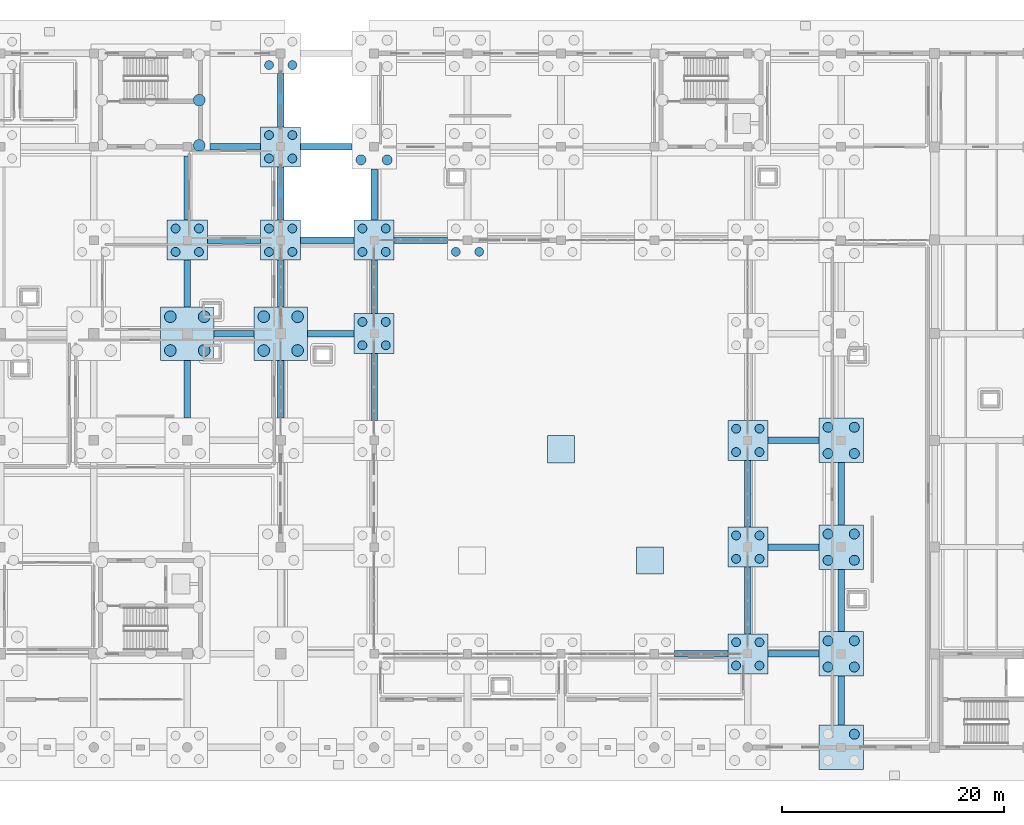
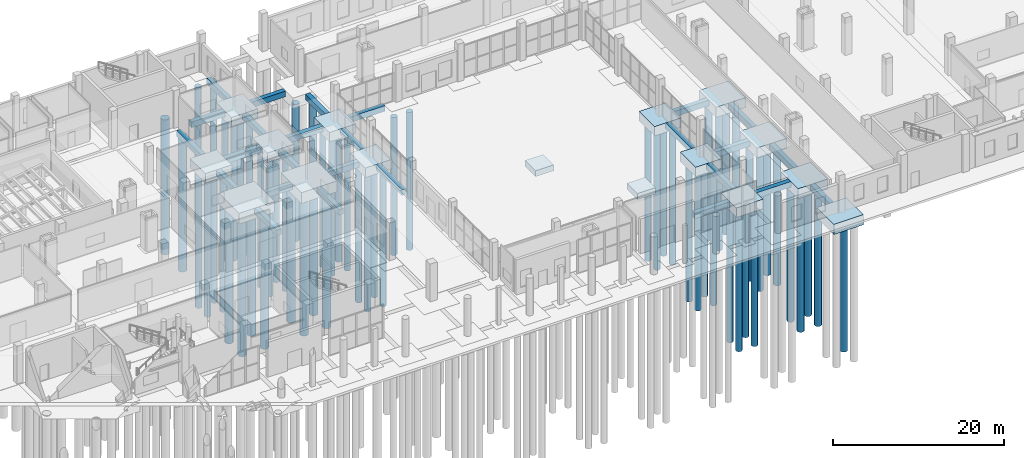
# One storey, part 5 of 65: 61 piles, 42 footings.
"""IFC4 building model written with IfcOpenShell, lengths in metres."""

from ifc_helpers import new_model, si_unit, direction, frame, origin, origin_2d, place, context, subcontext, project, spatial, polyline, circle, outline, extrude, material, layer, layer_set, material_profile, profile_set, type_object, element, save


model = new_model("IFC4")

# Units and contexts
model_context = context("Model", 3, precision=1e-05, world=origin(), true_north=direction((0.0, 1.0)))
body_context = subcontext(model_context, "Body", "Model", "MODEL_VIEW")
ifc_project = project(units=[si_unit("LENGTHUNIT", "METRE"), si_unit("AREAUNIT", "SQUARE_METRE"), si_unit("VOLUMEUNIT", "CUBIC_METRE"), si_unit("PLANEANGLEUNIT", "RADIAN"), si_unit("MASSUNIT", "GRAM", prefix="KILO")], contexts=[model_context])

# Site, building, storey
site_placement = place(None, origin())
site = spatial("IfcSite", under=ifc_project, at=site_placement, CompositionType="ELEMENT")
building_placement = place(site_placement, origin())
building = spatial("IfcBuilding", under=site, at=building_placement, Name="Zulmaris Art Gallery", CompositionType="ELEMENT")
storey_placement = place(building_placement, origin())
storey = spatial("IfcBuildingStorey", under=building, at=storey_placement, Name="L00", CompositionType="ELEMENT", Elevation=0.0)

# Footings
ifc_material = material(Name="Concrete C40/50", Category="concrete")
ifc_layer_1 = layer(ifc_material, 0.800048828125)
ifc_layer_set_1 = layer_set([ifc_layer_1], Name="Concrete C40/50")
footing_type_1 = type_object("IfcFootingType", Name="FTG-GB01", PredefinedType="FOOTING_BEAM", material=ifc_layer_set_1)
footing_1_placement = place(storey_placement, frame((0.0, 0.0, -0.800048828125)))
element("IfcFooting", 1, at=footing_1_placement, inside=storey, type_object=footing_type_1, Name="L00 ground tie beam X", PredefinedType="FOOTING_BEAM", context=body_context, shape_type="SweptSolid", body=[
    extrude(outline(polyline([(118.199951171875, 21.300048828125), (123.0, 21.300048828125), (123.0, 21.89990234375), (118.199951171875, 21.89990234375), (118.199951171875, 21.300048828125)])), origin(), (0.0, 0.0, 1.0), 0.800048828125),
])
footing_2_placement = place(storey_placement, frame((0.0, 0.0, -0.800048828125)))
element("IfcFooting", 2, at=footing_2_placement, inside=storey, type_object=footing_type_1, Name="L00 ground tie beam X", PredefinedType="FOOTING_BEAM", context=body_context, shape_type="SweptSolid", body=[
    extrude(outline(polyline([(126.60009765625, 21.300048828125), (131.199951171875, 21.300048828125), (131.199951171875, 21.89990234375), (126.60009765625, 21.89990234375), (126.60009765625, 21.300048828125)])), origin(), (0.0, 0.0, 1.0), 0.800048828125),
])
footing_3_placement = place(storey_placement, frame((0.0, 0.0, -0.800048828125)))
element("IfcFooting", 3, at=footing_3_placement, inside=storey, type_object=footing_type_1, Name="L00 ground tie beam X", PredefinedType="FOOTING_BEAM", context=body_context, shape_type="SweptSolid", body=[
    extrude(outline(polyline([(126.60009765625, 30.89990234375), (131.199951171875, 30.89990234375), (131.199951171875, 31.5), (126.60009765625, 31.5), (126.60009765625, 30.89990234375)])), origin(), (0.0, 0.0, 1.0), 0.800048828125),
])
footing_4_placement = place(storey_placement, frame((0.0, 0.0, -0.800048828125)))
element("IfcFooting", 4, at=footing_4_placement, inside=storey, type_object=footing_type_1, Name="L00 ground tie beam X", PredefinedType="FOOTING_BEAM", context=body_context, shape_type="SweptSolid", body=[
    extrude(outline(polyline([(126.60009765625, 40.5), (131.199951171875, 40.5), (131.199951171875, 41.10009765625), (126.60009765625, 41.10009765625), (126.60009765625, 40.5)])), origin(), (0.0, 0.0, 1.0), 0.800048828125),
])
footing_5_placement = place(storey_placement, frame((0.0, 0.0, -0.800048828125)))
element("IfcFooting", 5, at=footing_5_placement, inside=storey, type_object=footing_type_1, Name="L00 ground tie beam X", PredefinedType="FOOTING_BEAM", context=body_context, shape_type="SweptSolid", body=[
    extrude(outline(polyline([(76.800048828125, 50.10009765625), (80.39990234375, 50.10009765625), (80.39990234375, 50.699951171875), (76.800048828125, 50.699951171875), (76.800048828125, 50.10009765625)])), origin(), (0.0, 0.0, 1.0), 0.800048828125),
])
footing_6_placement = place(storey_placement, frame((0.0, 0.0, -0.800048828125)))
element("IfcFooting", 6, at=footing_6_placement, inside=storey, type_object=footing_type_1, Name="L00 ground tie beam X", PredefinedType="FOOTING_BEAM", context=body_context, shape_type="SweptSolid", body=[
    extrude(outline(polyline([(85.199951171875, 50.10009765625), (89.39990234375, 50.10009765625), (89.39990234375, 50.699951171875), (85.199951171875, 50.699951171875), (85.199951171875, 50.10009765625)])), origin(), (0.0, 0.0, 1.0), 0.800048828125),
])
footing_7_placement = place(storey_placement, frame((0.0, 0.0, -0.800048828125)))
element("IfcFooting", 7, at=footing_7_placement, inside=storey, type_object=footing_type_1, Name="L00 ground tie beam X", PredefinedType="FOOTING_BEAM", context=body_context, shape_type="SweptSolid", body=[
    extrude(outline(polyline([(76.199951171875, 58.5), (81.0, 58.5), (81.0, 59.10009765625), (76.199951171875, 59.10009765625), (76.199951171875, 58.5)])), origin(), (0.0, 0.0, 1.0), 0.800048828125),
])
footing_8_placement = place(storey_placement, frame((0.0, 0.0, -0.800048828125)))
element("IfcFooting", 8, at=footing_8_placement, inside=storey, type_object=footing_type_1, Name="L00 ground tie beam X", PredefinedType="FOOTING_BEAM", context=body_context, shape_type="SweptSolid", body=[
    extrude(outline(polyline([(84.60009765625, 58.5), (89.39990234375, 58.5), (89.39990234375, 59.10009765625), (84.60009765625, 59.10009765625), (84.60009765625, 58.5)])), origin(), (0.0, 0.0, 1.0), 0.800048828125),
])
footing_9_placement = place(storey_placement, frame((0.0, 0.0, -0.800048828125)))
element("IfcFooting", 9, at=footing_9_placement, inside=storey, type_object=footing_type_1, Name="L00 ground tie beam X", PredefinedType="FOOTING_BEAM", context=body_context, shape_type="SweptSolid", body=[
    extrude(outline(polyline([(93.0, 58.5), (97.800048828125, 58.5), (97.800048828125, 59.10009765625), (93.0, 59.10009765625), (93.0, 58.5)])), origin(), (0.0, 0.0, 1.0), 0.800048828125),
])
footing_10_placement = place(storey_placement, frame((0.0, 0.0, -0.800048828125)))
element("IfcFooting", 10, at=footing_10_placement, inside=storey, type_object=footing_type_1, Name="L00 ground tie beam X", PredefinedType="FOOTING_BEAM", context=body_context, shape_type="SweptSolid", body=[
    extrude(outline(polyline([(76.449951171875, 66.89990234375), (81.0, 66.89990234375), (81.0, 67.5), (76.449951171875, 67.5), (76.449951171875, 66.89990234375)])), origin(), (0.0, 0.0, 1.0), 0.800048828125),
])
footing_11_placement = place(storey_placement, frame((0.0, 0.0, -0.800048828125)))
element("IfcFooting", 11, at=footing_11_placement, inside=storey, type_object=footing_type_1, Name="L00 ground tie beam X", PredefinedType="FOOTING_BEAM", context=body_context, shape_type="SweptSolid", body=[
    extrude(outline(polyline([(84.60009765625, 66.89990234375), (89.199951171875, 66.89990234375), (89.199951171875, 67.5), (84.60009765625, 67.5), (84.60009765625, 66.89990234375)])), origin(), (0.0, 0.0, 1.0), 0.800048828125),
])
footing_12_placement = place(storey_placement, frame((0.0, 0.0, -0.800048828125)))
element("IfcFooting", 12, at=footing_12_placement, inside=storey, type_object=footing_type_1, Name="L00 ground tie beam Y", PredefinedType="FOOTING_BEAM", context=body_context, shape_type="SweptSolid", body=[
    extrude(outline(polyline([(74.10009765625, 42.800048828125), (74.699951171875, 42.800048828125), (74.699951171875, 48.0), (74.10009765625, 48.0), (74.10009765625, 42.800048828125)])), origin(), (0.0, 0.0, 1.0), 0.800048828125),
])
footing_13_placement = place(storey_placement, frame((0.0, 0.0, -0.800048828125)))
element("IfcFooting", 13, at=footing_13_placement, inside=storey, type_object=footing_type_1, Name="L00 ground tie beam Y", PredefinedType="FOOTING_BEAM", context=body_context, shape_type="SweptSolid", body=[
    extrude(outline(polyline([(74.10009765625, 52.800048828125), (74.699951171875, 52.800048828125), (74.699951171875, 57.0), (74.10009765625, 57.0), (74.10009765625, 52.800048828125)])), origin(), (0.0, 0.0, 1.0), 0.800048828125),
])
footing_14_placement = place(storey_placement, frame((0.0, 0.0, -0.800048828125)))
element("IfcFooting", 14, at=footing_14_placement, inside=storey, type_object=footing_type_1, Name="L00 ground tie beam Y", PredefinedType="FOOTING_BEAM", context=body_context, shape_type="SweptSolid", body=[
    extrude(outline(polyline([(74.10009765625, 60.60009765625), (74.699951171875, 60.60009765625), (74.699951171875, 66.35009765625), (74.10009765625, 66.35009765625), (74.10009765625, 60.60009765625)])), origin(), (0.0, 0.0, 1.0), 0.800048828125),
])
footing_15_placement = place(storey_placement, frame((0.0, 0.0, -0.800048828125)))
element("IfcFooting", 15, at=footing_15_placement, inside=storey, type_object=footing_type_1, Name="L00 ground tie beam Y", PredefinedType="FOOTING_BEAM", context=body_context, shape_type="SweptSolid", body=[
    extrude(outline(polyline([(82.5, 42.800048828125), (83.10009765625, 42.800048828125), (83.10009765625, 48.0), (82.5, 48.0), (82.5, 42.800048828125)])), origin(), (0.0, 0.0, 1.0), 0.800048828125),
])
footing_16_placement = place(storey_placement, frame((0.0, 0.0, -0.800048828125)))
element("IfcFooting", 16, at=footing_16_placement, inside=storey, type_object=footing_type_1, Name="L00 ground tie beam Y", PredefinedType="FOOTING_BEAM", context=body_context, shape_type="SweptSolid", body=[
    extrude(outline(polyline([(82.5, 52.800048828125), (83.10009765625, 52.800048828125), (83.10009765625, 57.0), (82.5, 57.0), (82.5, 52.800048828125)])), origin(), (0.0, 0.0, 1.0), 0.800048828125),
])
footing_17_placement = place(storey_placement, frame((0.0, 0.0, -0.800048828125)))
element("IfcFooting", 17, at=footing_17_placement, inside=storey, type_object=footing_type_1, Name="L00 ground tie beam Y", PredefinedType="FOOTING_BEAM", context=body_context, shape_type="SweptSolid", body=[
    extrude(outline(polyline([(82.5, 60.60009765625), (83.10009765625, 60.60009765625), (83.10009765625, 65.39990234375), (82.5, 65.39990234375), (82.5, 60.60009765625)])), origin(), (0.0, 0.0, 1.0), 0.800048828125),
])
footing_18_placement = place(storey_placement, frame((0.0, 0.0, -0.800048828125)))
element("IfcFooting", 18, at=footing_18_placement, inside=storey, type_object=footing_type_1, Name="L00 ground tie beam Y", PredefinedType="FOOTING_BEAM", context=body_context, shape_type="SweptSolid", body=[
    extrude(outline(polyline([(82.5, 69.0), (83.10009765625, 69.0), (83.10009765625, 73.800048828125), (82.5, 73.800048828125), (82.5, 69.0)])), origin(), (0.0, 0.0, 1.0), 0.800048828125),
])
footing_19_placement = place(storey_placement, frame((0.0, 0.0, -0.800048828125)))
element("IfcFooting", 19, at=footing_19_placement, inside=storey, type_object=footing_type_1, Name="L00 ground tie beam Y", PredefinedType="FOOTING_BEAM", context=body_context, shape_type="SweptSolid", body=[
    extrude(outline(polyline([(90.89990234375, 42.60009765625), (91.5, 42.60009765625), (91.5, 48.60009765625), (90.89990234375, 48.60009765625), (90.89990234375, 42.60009765625)])), origin(), (0.0, 0.0, 1.0), 0.800048828125),
])
footing_20_placement = place(storey_placement, frame((0.0, 0.0, -0.800048828125)))
element("IfcFooting", 20, at=footing_20_placement, inside=storey, type_object=footing_type_1, Name="L00 ground tie beam Y", PredefinedType="FOOTING_BEAM", context=body_context, shape_type="SweptSolid", body=[
    extrude(outline(polyline([(90.89990234375, 52.199951171875), (91.5, 52.199951171875), (91.5, 57.0), (90.89990234375, 57.0), (90.89990234375, 52.199951171875)])), origin(), (0.0, 0.0, 1.0), 0.800048828125),
])
footing_21_placement = place(storey_placement, frame((0.0, 0.0, -0.800048828125)))
element("IfcFooting", 21, at=footing_21_placement, inside=storey, type_object=footing_type_1, Name="L00 ground tie beam Y", PredefinedType="FOOTING_BEAM", context=body_context, shape_type="SweptSolid", body=[
    extrude(outline(polyline([(90.89990234375, 60.60009765625), (91.5, 60.60009765625), (91.5, 65.199951171875), (90.89990234375, 65.199951171875), (90.89990234375, 60.60009765625)])), origin(), (0.0, 0.0, 1.0), 0.800048828125),
])
footing_22_placement = place(storey_placement, frame((0.0, 0.0, -0.800048828125)))
element("IfcFooting", 22, at=footing_22_placement, inside=storey, type_object=footing_type_1, Name="L00 ground tie beam Y", PredefinedType="FOOTING_BEAM", context=body_context, shape_type="SweptSolid", body=[
    extrude(outline(polyline([(124.5, 23.39990234375), (125.10009765625, 23.39990234375), (125.10009765625, 29.39990234375), (124.5, 29.39990234375), (124.5, 23.39990234375)])), origin(), (0.0, 0.0, 1.0), 0.800048828125),
])
footing_23_placement = place(storey_placement, frame((0.0, 0.0, -0.800048828125)))
element("IfcFooting", 23, at=footing_23_placement, inside=storey, type_object=footing_type_1, Name="L00 ground tie beam Y", PredefinedType="FOOTING_BEAM", context=body_context, shape_type="SweptSolid", body=[
    extrude(outline(polyline([(124.5, 33.0), (125.10009765625, 33.0), (125.10009765625, 39.0), (124.5, 39.0), (124.5, 33.0)])), origin(), (0.0, 0.0, 1.0), 0.800048828125),
])
footing_24_placement = place(storey_placement, frame((0.0, 0.0, -0.800048828125)))
element("IfcFooting", 24, at=footing_24_placement, inside=storey, type_object=footing_type_1, Name="L00 ground tie beam Y", PredefinedType="FOOTING_BEAM", context=body_context, shape_type="SweptSolid", body=[
    extrude(outline(polyline([(132.89990234375, 15.199951171875), (133.5, 15.199951171875), (133.5, 19.60009765625), (132.89990234375, 19.60009765625), (132.89990234375, 15.199951171875)])), origin(), (0.0, 0.0, 1.0), 0.800048828125),
])
footing_25_placement = place(storey_placement, frame((0.0, 0.0, -0.800048828125)))
element("IfcFooting", 25, at=footing_25_placement, inside=storey, type_object=footing_type_1, Name="L00 ground tie beam Y", PredefinedType="FOOTING_BEAM", context=body_context, shape_type="SweptSolid", body=[
    extrude(outline(polyline([(132.89990234375, 23.60009765625), (133.5, 23.60009765625), (133.5, 29.199951171875), (132.89990234375, 29.199951171875), (132.89990234375, 23.60009765625)])), origin(), (0.0, 0.0, 1.0), 0.800048828125),
])
footing_26_placement = place(storey_placement, frame((0.0, 0.0, -0.800048828125)))
element("IfcFooting", 26, at=footing_26_placement, inside=storey, type_object=footing_type_1, Name="L00 ground tie beam Y", PredefinedType="FOOTING_BEAM", context=body_context, shape_type="SweptSolid", body=[
    extrude(outline(polyline([(132.89990234375, 33.199951171875), (133.5, 33.199951171875), (133.5, 38.800048828125), (132.89990234375, 38.800048828125), (132.89990234375, 33.199951171875)])), origin(), (0.0, 0.0, 1.0), 0.800048828125),
])
ifc_layer_2 = layer(ifc_material, 0.85009765625)
ifc_layer_set_2 = layer_set([ifc_layer_2], Name="Concrete C40/50")
footing_type_2 = type_object("IfcFootingType", Name="FTG-PAD04", PredefinedType="PAD_FOOTING", material=ifc_layer_set_2)
footing_27_placement = place(storey_placement, frame((0.0, 0.0, -1.35009765625)))
element("IfcFooting", 27, at=footing_27_placement, inside=storey, type_object=footing_type_2, Name="Sculpture plinth pad footing 7", PredefinedType="PAD_FOOTING", context=body_context, shape_type="SweptSolid", body=[
    extrude(outline(polyline([(106.77490234375, 38.77490234375), (109.22509765625, 38.77490234375), (109.22509765625, 41.22509765625), (106.77490234375, 41.22509765625), (106.77490234375, 38.77490234375)])), origin(), (0.0, 0.0, 1.0), 0.85009765625),
])
footing_28_placement = place(storey_placement, frame((0.0, 0.0, -1.35009765625)))
element("IfcFooting", 28, at=footing_28_placement, inside=storey, type_object=footing_type_2, Name="Sculpture plinth pad footing 8", PredefinedType="PAD_FOOTING", context=body_context, shape_type="SweptSolid", body=[
    extrude(outline(polyline([(114.77490234375, 28.77490234375), (117.22509765625, 28.77490234375), (117.22509765625, 31.22509765625), (114.77490234375, 31.22509765625), (114.77490234375, 28.77490234375)])), origin(), (0.0, 0.0, 1.0), 0.85009765625),
])
ifc_layer_3 = layer(ifc_material, 1.35009765625)
ifc_layer_set_3 = layer_set([ifc_layer_3], Name="Concrete C40/50")
footing_type_3 = type_object("IfcFootingType", Name="FTG-PC01", PredefinedType="PILE_CAP", material=ifc_layer_set_3)
footing_29_placement = place(storey_placement, frame((0.0, 0.0, -1.35009765625)))
element("IfcFooting", 29, at=footing_29_placement, inside=storey, type_object=footing_type_3, Name="L00 pile cap PC01 at (74.4, 58.8)", PredefinedType="PILE_CAP", context=body_context, shape_type="SweptSolid", body=[
    extrude(outline(polyline([(72.60009765625, 57.0), (76.199951171875, 57.0), (76.199951171875, 60.60009765625), (72.60009765625, 60.60009765625), (72.60009765625, 57.0)])), origin(), (0.0, 0.0, 1.0), 1.35009765625),
])
footing_30_placement = place(storey_placement, frame((0.0, 0.0, -1.35009765625)))
element("IfcFooting", 30, at=footing_30_placement, inside=storey, type_object=footing_type_3, Name="L00 pile cap PC01 at (82.8, 58.8)", PredefinedType="PILE_CAP", context=body_context, shape_type="SweptSolid", body=[
    extrude(outline(polyline([(81.0, 57.0), (84.60009765625, 57.0), (84.60009765625, 60.60009765625), (81.0, 60.60009765625), (81.0, 57.0)])), origin(), (0.0, 0.0, 1.0), 1.35009765625),
])
footing_31_placement = place(storey_placement, frame((0.0, 0.0, -1.35009765625)))
element("IfcFooting", 31, at=footing_31_placement, inside=storey, type_object=footing_type_3, Name="L00 pile cap PC01 at (82.8, 67.2)", PredefinedType="PILE_CAP", context=body_context, shape_type="SweptSolid", body=[
    extrude(outline(polyline([(81.0, 65.39990234375), (84.60009765625, 65.39990234375), (84.60009765625, 69.0), (81.0, 69.0), (81.0, 65.39990234375)])), origin(), (0.0, 0.0, 1.0), 1.35009765625),
])
footing_32_placement = place(storey_placement, frame((0.0, 0.0, -1.35009765625)))
element("IfcFooting", 32, at=footing_32_placement, inside=storey, type_object=footing_type_3, Name="L00 pile cap PC01 at (91.2, 50.4)", PredefinedType="PILE_CAP", context=body_context, shape_type="SweptSolid", body=[
    extrude(outline(polyline([(89.39990234375, 48.60009765625), (93.0, 48.60009765625), (93.0, 52.199951171875), (89.39990234375, 52.199951171875), (89.39990234375, 48.60009765625)])), origin(), (0.0, 0.0, 1.0), 1.35009765625),
])
footing_33_placement = place(storey_placement, frame((0.0, 0.0, -1.35009765625)))
element("IfcFooting", 33, at=footing_33_placement, inside=storey, type_object=footing_type_3, Name="L00 pile cap PC01 at (91.2, 58.8)", PredefinedType="PILE_CAP", context=body_context, shape_type="SweptSolid", body=[
    extrude(outline(polyline([(89.39990234375, 57.0), (93.0, 57.0), (93.0, 60.60009765625), (89.39990234375, 60.60009765625), (89.39990234375, 57.0)])), origin(), (0.0, 0.0, 1.0), 1.35009765625),
])
footing_34_placement = place(storey_placement, frame((0.0, 0.0, -1.35009765625)))
element("IfcFooting", 34, at=footing_34_placement, inside=storey, type_object=footing_type_3, Name="L00 pile cap PC01 at (124.8, 21.6)", PredefinedType="PILE_CAP", context=body_context, shape_type="SweptSolid", body=[
    extrude(outline(polyline([(123.0, 19.800048828125), (126.60009765625, 19.800048828125), (126.60009765625, 23.39990234375), (123.0, 23.39990234375), (123.0, 19.800048828125)])), origin(), (0.0, 0.0, 1.0), 1.35009765625),
])
footing_35_placement = place(storey_placement, frame((0.0, 0.0, -1.35009765625)))
element("IfcFooting", 35, at=footing_35_placement, inside=storey, type_object=footing_type_3, Name="L00 pile cap PC01 at (124.8, 31.2)", PredefinedType="PILE_CAP", context=body_context, shape_type="SweptSolid", body=[
    extrude(outline(polyline([(123.0, 29.39990234375), (126.60009765625, 29.39990234375), (126.60009765625, 33.0), (123.0, 33.0), (123.0, 29.39990234375)])), origin(), (0.0, 0.0, 1.0), 1.35009765625),
])
footing_36_placement = place(storey_placement, frame((0.0, 0.0, -1.35009765625)))
element("IfcFooting", 36, at=footing_36_placement, inside=storey, type_object=footing_type_3, Name="L00 pile cap PC01 at (124.8, 40.8)", PredefinedType="PILE_CAP", context=body_context, shape_type="SweptSolid", body=[
    extrude(outline(polyline([(123.0, 39.0), (126.60009765625, 39.0), (126.60009765625, 42.60009765625), (123.0, 42.60009765625), (123.0, 39.0)])), origin(), (0.0, 0.0, 1.0), 1.35009765625),
])
ifc_layer_4 = layer(ifc_material, 1.449951171875)
ifc_layer_set_4 = layer_set([ifc_layer_4], Name="Concrete C40/50")
footing_type_4 = type_object("IfcFootingType", Name="FTG-PC02", PredefinedType="PILE_CAP", material=ifc_layer_set_4)
footing_37_placement = place(storey_placement, frame((0.0, 0.0, -1.449951171875)))
element("IfcFooting", 37, at=footing_37_placement, inside=storey, type_object=footing_type_4, Name="L00 pile cap PC02 at (133.2, 13.2)", PredefinedType="PILE_CAP", context=body_context, shape_type="SweptSolid", body=[
    extrude(outline(polyline([(131.199951171875, 11.199951171875), (135.199951171875, 11.199951171875), (135.199951171875, 15.199951171875), (131.199951171875, 15.199951171875), (131.199951171875, 11.199951171875)])), origin(), (0.0, 0.0, 1.0), 1.449951171875),
])
footing_38_placement = place(storey_placement, frame((0.0, 0.0, -1.449951171875)))
element("IfcFooting", 38, at=footing_38_placement, inside=storey, type_object=footing_type_4, Name="L00 pile cap PC02 at (133.2, 21.6)", PredefinedType="PILE_CAP", context=body_context, shape_type="SweptSolid", body=[
    extrude(outline(polyline([(131.199951171875, 19.60009765625), (135.199951171875, 19.60009765625), (135.199951171875, 23.60009765625), (131.199951171875, 23.60009765625), (131.199951171875, 19.60009765625)])), origin(), (0.0, 0.0, 1.0), 1.449951171875),
])
footing_39_placement = place(storey_placement, frame((0.0, 0.0, -1.449951171875)))
element("IfcFooting", 39, at=footing_39_placement, inside=storey, type_object=footing_type_4, Name="L00 pile cap PC02 at (133.2, 31.2)", PredefinedType="PILE_CAP", context=body_context, shape_type="SweptSolid", body=[
    extrude(outline(polyline([(131.199951171875, 29.199951171875), (135.199951171875, 29.199951171875), (135.199951171875, 33.199951171875), (131.199951171875, 33.199951171875), (131.199951171875, 29.199951171875)])), origin(), (0.0, 0.0, 1.0), 1.449951171875),
])
footing_40_placement = place(storey_placement, frame((0.0, 0.0, -1.449951171875)))
element("IfcFooting", 40, at=footing_40_placement, inside=storey, type_object=footing_type_4, Name="L00 pile cap PC02 at (133.2, 40.8)", PredefinedType="PILE_CAP", context=body_context, shape_type="SweptSolid", body=[
    extrude(outline(polyline([(131.199951171875, 38.800048828125), (135.199951171875, 38.800048828125), (135.199951171875, 42.800048828125), (131.199951171875, 42.800048828125), (131.199951171875, 38.800048828125)])), origin(), (0.0, 0.0, 1.0), 1.449951171875),
])
ifc_layer_5 = layer(ifc_material, 1.550048828125)
ifc_layer_set_5 = layer_set([ifc_layer_5], Name="Concrete C40/50")
footing_type_5 = type_object("IfcFootingType", Name="FTG-PC03", PredefinedType="PILE_CAP", material=ifc_layer_set_5)
footing_41_placement = place(storey_placement, frame((0.0, 0.0, -1.550048828125)))
element("IfcFooting", 41, at=footing_41_placement, inside=storey, type_object=footing_type_5, Name="L00 pile cap PC03 at (74.4, 50.4)", PredefinedType="PILE_CAP", context=body_context, shape_type="SweptSolid", body=[
    extrude(outline(polyline([(72.0, 48.0), (76.800048828125, 48.0), (76.800048828125, 52.800048828125), (72.0, 52.800048828125), (72.0, 48.0)])), origin(), (0.0, 0.0, 1.0), 1.550048828125),
])
footing_42_placement = place(storey_placement, frame((0.0, 0.0, -1.550048828125)))
element("IfcFooting", 42, at=footing_42_placement, inside=storey, type_object=footing_type_5, Name="L00 pile cap PC03 at (82.8, 50.4)", PredefinedType="PILE_CAP", context=body_context, shape_type="SweptSolid", body=[
    extrude(outline(polyline([(80.39990234375, 48.0), (85.199951171875, 48.0), (85.199951171875, 52.800048828125), (80.39990234375, 52.800048828125), (80.39990234375, 48.0)])), origin(), (0.0, 0.0, 1.0), 1.550048828125),
])

# Piles
ifc_material_profile_1 = material_profile(ifc_material, circle(Radius=0.52490234375, at=origin_2d()), Name="PILE DIA 1050")
ifc_profile_set_1 = profile_set([ifc_material_profile_1], Name="Concrete C40/50")
pile_type_1 = type_object("IfcPileType", Name="PILE-1050", PredefinedType="BORED", material=ifc_profile_set_1)
for number, where, z_axis, x_axis, name in (
    (43, (75.47509765625, 67.324951171875, -1.68994140625), (0.0, 0.0, -1.0), (1.0, 0.0, 0.0), "Core C6 bored pile 7"),
    (44, (75.47509765625, 71.39990234375, -1.68994140625), (0.0, 0.0, -1.0), (1.0, 0.0, 0.0), "Core C6 bored pile 8"),
):
    element("IfcPile", number, at=place(storey_placement, frame(where, z_axis=z_axis, x_axis=x_axis)), inside=storey, type_object=pile_type_1, Name=name, PredefinedType="BORED", context=body_context, shape_type="SweptSolid", body=[
        extrude(circle(Radius=0.52490234375, at=origin_2d()), origin(), (0.0, 0.0, 1.0), 19.31005859375),
    ])
for number, where, z_axis, x_axis, name in (
    (45, (72.8798828125, 48.8798828125, -1.449951171875), (0.0, 0.0, -1.0), (1.0, 0.0, 0.0), "L00 bored pile 1 under FTG-CAP-L00-0744-504"),
    (46, (75.919921875, 48.8798828125, -1.449951171875), (0.0, 0.0, -1.0), (1.0, 0.0, 0.0), "L00 bored pile 2 under FTG-CAP-L00-0744-504"),
    (47, (72.8798828125, 51.919921875, -1.449951171875), (0.0, 0.0, -1.0), (1.0, 0.0, 0.0), "L00 bored pile 3 under FTG-CAP-L00-0744-504"),
    (48, (75.919921875, 51.919921875, -1.449951171875), (0.0, 0.0, -1.0), (1.0, 0.0, 0.0), "L00 bored pile 4 under FTG-CAP-L00-0744-504"),
    (49, (81.280029296875, 48.8798828125, -1.449951171875), (0.0, 0.0, -1.0), (1.0, 0.0, 0.0), "L00 bored pile 1 under FTG-CAP-L00-0828-504"),
    (50, (84.320068359375, 48.8798828125, -1.449951171875), (0.0, 0.0, -1.0), (1.0, 0.0, 0.0), "L00 bored pile 2 under FTG-CAP-L00-0828-504"),
    (51, (81.280029296875, 51.919921875, -1.449951171875), (0.0, 0.0, -1.0), (1.0, 0.0, 0.0), "L00 bored pile 3 under FTG-CAP-L00-0828-504"),
    (52, (84.320068359375, 51.919921875, -1.449951171875), (0.0, 0.0, -1.0), (1.0, 0.0, 0.0), "L00 bored pile 4 under FTG-CAP-L00-0828-504"),
):
    element("IfcPile", number, at=place(storey_placement, frame(where, z_axis=z_axis, x_axis=x_axis)), inside=storey, type_object=pile_type_1, Name=name, PredefinedType="BORED", context=body_context, shape_type="SweptSolid", body=[
        extrude(circle(Radius=0.52490234375, at=origin_2d()), origin(), (0.0, 0.0, 1.0), 19.550048828125),
    ])
ifc_material_profile_2 = material_profile(ifc_material, circle(Radius=0.39990234375, at=origin_2d()), Name="PILE DIA 800")
ifc_profile_set_2 = profile_set([ifc_material_profile_2], Name="Concrete C40/50")
pile_type_2 = type_object("IfcPileType", Name="PILE-800", PredefinedType="BORED", material=ifc_profile_set_2)
for number, where, z_axis, x_axis, name in (
    (53, (73.35009765625, 57.75, -1.25), (0.0, 0.0, -1.0), (1.0, 0.0, 0.0), "L00 bored pile 1 under FTG-CAP-L00-0744-588"),
    (54, (75.449951171875, 57.75, -1.25), (0.0, 0.0, -1.0), (1.0, 0.0, 0.0), "L00 bored pile 2 under FTG-CAP-L00-0744-588"),
    (55, (73.35009765625, 59.85009765625, -1.25), (0.0, 0.0, -1.0), (1.0, 0.0, 0.0), "L00 bored pile 3 under FTG-CAP-L00-0744-588"),
    (56, (75.449951171875, 59.85009765625, -1.25), (0.0, 0.0, -1.0), (1.0, 0.0, 0.0), "L00 bored pile 4 under FTG-CAP-L00-0744-588"),
    (57, (81.75, 57.75, -1.25), (0.0, 0.0, -1.0), (1.0, 0.0, 0.0), "L00 bored pile 1 under FTG-CAP-L00-0828-588"),
    (58, (83.85009765625, 57.75, -1.25), (0.0, 0.0, -1.0), (1.0, 0.0, 0.0), "L00 bored pile 2 under FTG-CAP-L00-0828-588"),
    (59, (81.75, 59.85009765625, -1.25), (0.0, 0.0, -1.0), (1.0, 0.0, 0.0), "L00 bored pile 3 under FTG-CAP-L00-0828-588"),
    (60, (83.85009765625, 59.85009765625, -1.25), (0.0, 0.0, -1.0), (1.0, 0.0, 0.0), "L00 bored pile 4 under FTG-CAP-L00-0828-588"),
    (61, (81.75, 66.14990234375, -1.25), (0.0, 0.0, -1.0), (1.0, 0.0, 0.0), "L00 bored pile 1 under FTG-CAP-L00-0828-672"),
    (62, (83.85009765625, 66.14990234375, -1.25), (0.0, 0.0, -1.0), (1.0, 0.0, 0.0), "L00 bored pile 2 under FTG-CAP-L00-0828-672"),
    (63, (81.75, 68.25, -1.25), (0.0, 0.0, -1.0), (1.0, 0.0, 0.0), "L00 bored pile 3 under FTG-CAP-L00-0828-672"),
    (64, (83.85009765625, 68.25, -1.25), (0.0, 0.0, -1.0), (1.0, 0.0, 0.0), "L00 bored pile 4 under FTG-CAP-L00-0828-672"),
    (65, (81.75, 74.550048828125, -1.25), (0.0, 0.0, -1.0), (1.0, 0.0, 0.0), "L00 bored pile 1 under FTG-CAP-L00-0828-756"),
    (66, (83.85009765625, 74.550048828125, -1.25), (0.0, 0.0, -1.0), (1.0, 0.0, 0.0), "L00 bored pile 2 under FTG-CAP-L00-0828-756"),
    (67, (90.14990234375, 49.35009765625, -1.25), (0.0, 0.0, -1.0), (1.0, 0.0, 0.0), "L00 bored pile 1 under FTG-CAP-L00-0912-504"),
    (68, (92.25, 49.35009765625, -1.25), (0.0, 0.0, -1.0), (1.0, 0.0, 0.0), "L00 bored pile 2 under FTG-CAP-L00-0912-504"),
    (69, (90.14990234375, 51.449951171875, -1.25), (0.0, 0.0, -1.0), (1.0, 0.0, 0.0), "L00 bored pile 3 under FTG-CAP-L00-0912-504"),
    (70, (92.25, 51.449951171875, -1.25), (0.0, 0.0, -1.0), (1.0, 0.0, 0.0), "L00 bored pile 4 under FTG-CAP-L00-0912-504"),
    (71, (90.14990234375, 57.75, -1.25), (0.0, 0.0, -1.0), (1.0, 0.0, 0.0), "L00 bored pile 1 under FTG-CAP-L00-0912-588"),
    (72, (92.25, 57.75, -1.25), (0.0, 0.0, -1.0), (1.0, 0.0, 0.0), "L00 bored pile 2 under FTG-CAP-L00-0912-588"),
    (73, (90.14990234375, 59.85009765625, -1.25), (0.0, 0.0, -1.0), (1.0, 0.0, 0.0), "L00 bored pile 3 under FTG-CAP-L00-0912-588"),
    (74, (92.25, 59.85009765625, -1.25), (0.0, 0.0, -1.0), (1.0, 0.0, 0.0), "L00 bored pile 4 under FTG-CAP-L00-0912-588"),
    (75, (98.550048828125, 57.75, -1.25), (0.0, 0.0, -1.0), (1.0, 0.0, 0.0), "L00 bored pile 1 under FTG-CAP-L00-0996-588"),
    (76, (100.64990234375, 57.75, -1.25), (0.0, 0.0, -1.0), (1.0, 0.0, 0.0), "L00 bored pile 2 under FTG-CAP-L00-0996-588"),
    (77, (123.75, 20.550048828125, -1.25), (0.0, 0.0, -1.0), (1.0, 0.0, 0.0), "L00 bored pile 1 under FTG-CAP-L00-1248-216"),
    (78, (125.85009765625, 20.550048828125, -1.25), (0.0, 0.0, -1.0), (1.0, 0.0, 0.0), "L00 bored pile 2 under FTG-CAP-L00-1248-216"),
    (79, (123.75, 22.64990234375, -1.25), (0.0, 0.0, -1.0), (1.0, 0.0, 0.0), "L00 bored pile 3 under FTG-CAP-L00-1248-216"),
    (80, (125.85009765625, 22.64990234375, -1.25), (0.0, 0.0, -1.0), (1.0, 0.0, 0.0), "L00 bored pile 4 under FTG-CAP-L00-1248-216"),
    (81, (123.75, 30.14990234375, -1.25), (0.0, 0.0, -1.0), (1.0, 0.0, 0.0), "L00 bored pile 1 under FTG-CAP-L00-1248-312"),
    (82, (125.85009765625, 30.14990234375, -1.25), (0.0, 0.0, -1.0), (1.0, 0.0, 0.0), "L00 bored pile 2 under FTG-CAP-L00-1248-312"),
    (83, (123.75, 32.25, -1.25), (0.0, 0.0, -1.0), (1.0, 0.0, 0.0), "L00 bored pile 3 under FTG-CAP-L00-1248-312"),
    (84, (125.85009765625, 32.25, -1.25), (0.0, 0.0, -1.0), (1.0, 0.0, 0.0), "L00 bored pile 4 under FTG-CAP-L00-1248-312"),
    (85, (123.75, 39.75, -1.25), (0.0, 0.0, -1.0), (1.0, 0.0, 0.0), "L00 bored pile 1 under FTG-CAP-L00-1248-408"),
    (86, (125.85009765625, 39.75, -1.25), (0.0, 0.0, -1.0), (1.0, 0.0, 0.0), "L00 bored pile 2 under FTG-CAP-L00-1248-408"),
    (87, (123.75, 41.85009765625, -1.25), (0.0, 0.0, -1.0), (1.0, 0.0, 0.0), "L00 bored pile 3 under FTG-CAP-L00-1248-408"),
    (88, (125.85009765625, 41.85009765625, -1.25), (0.0, 0.0, -1.0), (1.0, 0.0, 0.0), "L00 bored pile 4 under FTG-CAP-L00-1248-408"),
):
    element("IfcPile", number, at=place(storey_placement, frame(where, z_axis=z_axis, x_axis=x_axis)), inside=storey, type_object=pile_type_2, Name=name, PredefinedType="BORED", context=body_context, shape_type="SweptSolid", body=[
        extrude(circle(Radius=0.39990234375, at=origin_2d()), origin(), (0.0, 0.0, 1.0), 19.75),
    ])
ifc_material_profile_3 = material_profile(ifc_material, circle(Radius=0.449951171875, at=origin_2d()), Name="PILE DIA 900")
ifc_profile_set_3 = profile_set([ifc_material_profile_3], Name="Concrete C40/50")
pile_type_3 = type_object("IfcPileType", Name="PILE-900", PredefinedType="BORED", material=ifc_profile_set_3)
for number, where, z_axis, x_axis, name in (
    (89, (90.02001953125, 66.02001953125, -1.35009765625), (0.0, 0.0, -1.0), (1.0, 0.0, 0.0), "L00 bored pile 1 under FTG-CAP-L00-0912-672"),
    (90, (92.3798828125, 66.02001953125, -1.35009765625), (0.0, 0.0, -1.0), (1.0, 0.0, 0.0), "L00 bored pile 2 under FTG-CAP-L00-0912-672"),
    (91, (134.3798828125, 14.3798828125, -1.35009765625), (0.0, 0.0, -1.0), (1.0, 0.0, 0.0), "L00 bored pile 4 under FTG-CAP-L00-1332-132"),
    (92, (132.02001953125, 20.419921875, -1.35009765625), (0.0, 0.0, -1.0), (1.0, 0.0, 0.0), "L00 bored pile 1 under FTG-CAP-L00-1332-216"),
    (93, (134.3798828125, 20.419921875, -1.35009765625), (0.0, 0.0, -1.0), (1.0, 0.0, 0.0), "L00 bored pile 2 under FTG-CAP-L00-1332-216"),
    (94, (132.02001953125, 22.780029296875, -1.35009765625), (0.0, 0.0, -1.0), (1.0, 0.0, 0.0), "L00 bored pile 3 under FTG-CAP-L00-1332-216"),
    (95, (134.3798828125, 22.780029296875, -1.35009765625), (0.0, 0.0, -1.0), (1.0, 0.0, 0.0), "L00 bored pile 4 under FTG-CAP-L00-1332-216"),
    (96, (132.02001953125, 30.02001953125, -1.35009765625), (0.0, 0.0, -1.0), (1.0, 0.0, 0.0), "L00 bored pile 1 under FTG-CAP-L00-1332-312"),
    (97, (134.3798828125, 30.02001953125, -1.35009765625), (0.0, 0.0, -1.0), (1.0, 0.0, 0.0), "L00 bored pile 2 under FTG-CAP-L00-1332-312"),
    (98, (132.02001953125, 32.3798828125, -1.35009765625), (0.0, 0.0, -1.0), (1.0, 0.0, 0.0), "L00 bored pile 3 under FTG-CAP-L00-1332-312"),
    (99, (134.3798828125, 32.3798828125, -1.35009765625), (0.0, 0.0, -1.0), (1.0, 0.0, 0.0), "L00 bored pile 4 under FTG-CAP-L00-1332-312"),
    (100, (132.02001953125, 39.6201171875, -1.35009765625), (0.0, 0.0, -1.0), (1.0, 0.0, 0.0), "L00 bored pile 1 under FTG-CAP-L00-1332-408"),
    (101, (134.3798828125, 39.6201171875, -1.35009765625), (0.0, 0.0, -1.0), (1.0, 0.0, 0.0), "L00 bored pile 2 under FTG-CAP-L00-1332-408"),
    (102, (132.02001953125, 41.97998046875, -1.35009765625), (0.0, 0.0, -1.0), (1.0, 0.0, 0.0), "L00 bored pile 3 under FTG-CAP-L00-1332-408"),
    (103, (134.3798828125, 41.97998046875, -1.35009765625), (0.0, 0.0, -1.0), (1.0, 0.0, 0.0), "L00 bored pile 4 under FTG-CAP-L00-1332-408"),
):
    element("IfcPile", number, at=place(storey_placement, frame(where, z_axis=z_axis, x_axis=x_axis)), inside=storey, type_object=pile_type_3, Name=name, PredefinedType="BORED", context=body_context, shape_type="SweptSolid", body=[
        extrude(circle(Radius=0.449951171875, at=origin_2d()), origin(), (0.0, 0.0, 1.0), 19.64990234375),
    ])

save(model, "model.ifc")
